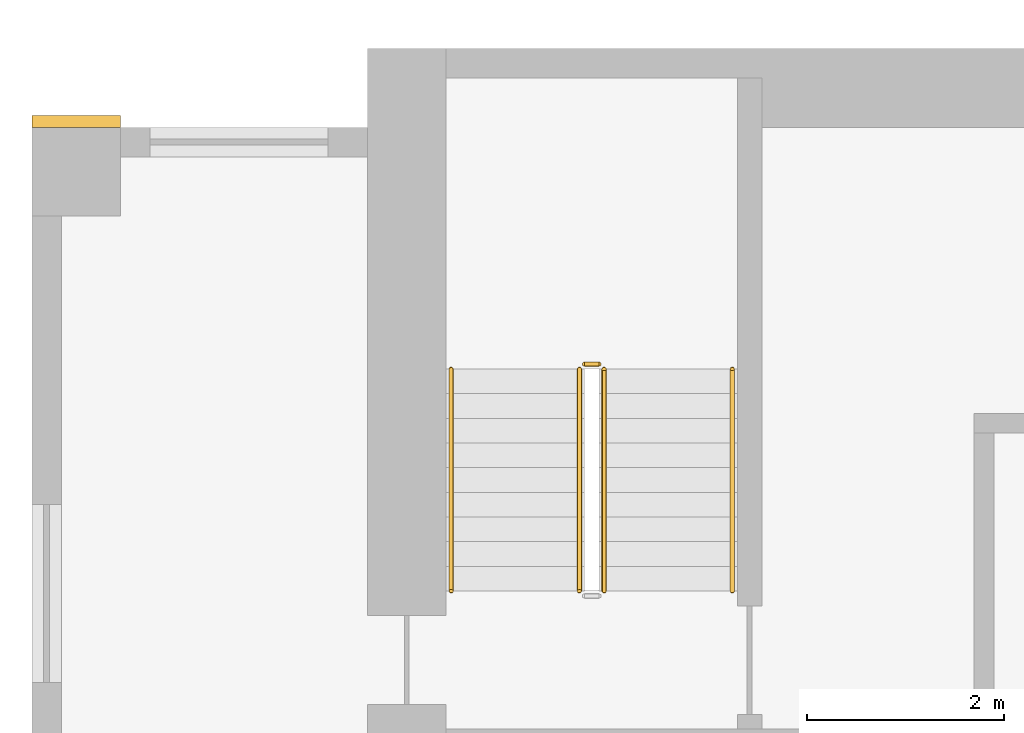
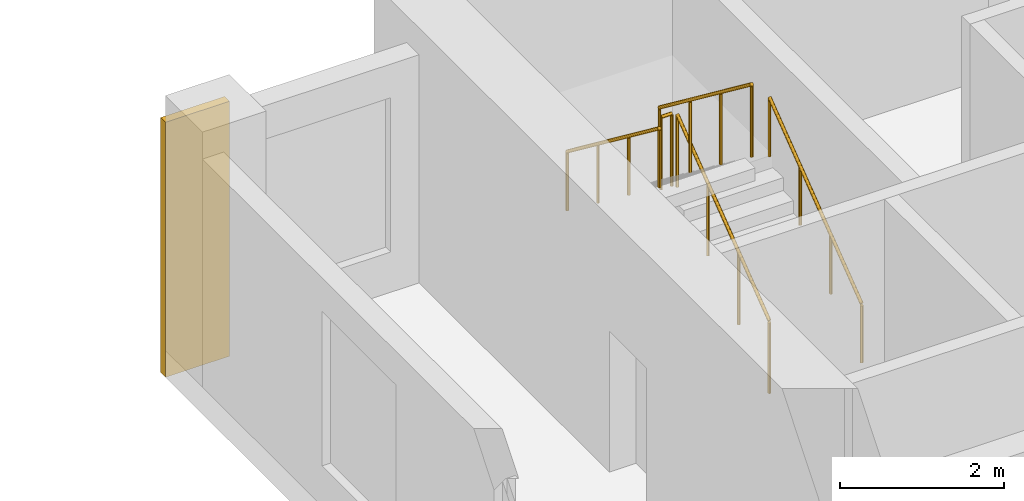
# One storey, part 10 of 12: 5 railings, 1 covering.
"""IFC4 building model written with IfcOpenShell, lengths in metres."""

from ifc_helpers import new_model, si_unit, direction, frame, origin, origin_2d, place, context, subcontext, project, spatial, rectangle, circle, extrude, source, transform, mapped, material, type_object, element, save


model = new_model("IFC4")

# Units and contexts
model_context = context("Model", 3, precision=1e-05, world=origin(), true_north=direction((0.0, 1.0)))
body_context = subcontext(model_context, "Body", "Model", "MODEL_VIEW")
ifc_project = project(units=[si_unit("LENGTHUNIT", "METRE"), si_unit("AREAUNIT", "SQUARE_METRE"), si_unit("VOLUMEUNIT", "CUBIC_METRE"), si_unit("PLANEANGLEUNIT", "RADIAN"), si_unit("MASSUNIT", "GRAM", prefix="KILO")], contexts=[model_context])

# Site, building, storey
site_placement = place(None, origin())
site = spatial("IfcSite", under=ifc_project, at=site_placement, CompositionType="ELEMENT")
building_placement = place(site_placement, origin())
building = spatial("IfcBuilding", under=site, at=building_placement, Name="Aurelian Terraces", CompositionType="ELEMENT")
storey_placement = place(building_placement, frame((0.0, 0.0, 189.2)))
storey = spatial("IfcBuildingStorey", under=building, at=storey_placement, Name="L41", CompositionType="ELEMENT", Elevation=189.2)

# Covering
ifc_material_1 = material(Name="Terracotta rainscreen cladding relief", Category="masonry")
covering_type = type_object("IfcCoveringType", Name="BAGUETTE-TC", PredefinedType="CLADDING", material=ifc_material_1)
shared_shape_1 = source(origin(), body_context, "Body", "SweptSolid", [
    extrude(rectangle(XDim=0.9, YDim=0.12, at=origin_2d()), origin(), (0.0, 0.0, 1.0), 3.8),
])
covering_placement = place(storey_placement, frame((0.45, 21.06, -0.4), z_axis=(0.0, 0.0, 1.0), x_axis=(1.0, 0.0, 0.0)))
element("IfcCovering", 1, at=covering_placement, inside=storey, type_object=covering_type, Name="BAGUETTE pier L41 5", PredefinedType="CLADDING", context=body_context, shape_type="MappedRepresentation", body=[
    mapped(shared_shape_1, transform((0.0, 0.0, 0.0), scale=1.0)),
])

# Railings
ifc_material_2 = material(Name="Stainless steel", Category="steel")
railing_type_1 = type_object("IfcRailingType", Name="Stair guard 1100", PredefinedType="GUARDRAIL", material=ifc_material_2)
shared_shape_2 = source(origin(), body_context, "Body", "SweptSolid", [
    extrude(circle(Radius=0.024, at=origin_2d()), frame((0.0, 0.0, 1.076), z_axis=(-1.0, 0.0, 0.0), x_axis=(0.0, -1.0, 0.0)), (0.0, 0.0, 1.0), 0.15),
    extrude(circle(Radius=0.021, at=origin_2d()), origin(), (0.0, 0.0, 1.0), 1.052),
    extrude(circle(Radius=0.021, at=origin_2d()), frame((-0.15, 0.0, 0.0)), (0.0, 0.0, 1.0), 1.052),
])
railing_1_placement = place(storey_placement, frame((5.75, 18.6, 1.9)))
element("IfcRailing", 2, at=railing_1_placement, inside=storey, type_object=railing_type_1, Name="L41 S1 stair guard 2", PredefinedType="GUARDRAIL", context=body_context, shape_type="MappedRepresentation", body=[
    mapped(shared_shape_2, transform((0.0, 0.0, 0.0), scale=1.0)),
])
shared_shape_3 = source(origin(), body_context, "Body", "SweptSolid", [
    extrude(circle(Radius=0.024, at=origin_2d()), frame((0.0, 0.0, 1.076), z_axis=(0.0, 0.796162194123, 0.605083267534), x_axis=(-1.0, 0.0, 0.0)), (0.0, 0.0, 1.0), 2.8261),
    extrude(circle(Radius=0.021, at=origin_2d()), origin(), (0.0, 0.0, 1.0), 1.052),
    extrude(circle(Radius=0.021, at=origin_2d()), frame((0.0, 0.75, 0.57)), (0.0, 0.0, 1.0), 1.052),
    extrude(circle(Radius=0.021, at=origin_2d()), frame((0.0, 1.5, 1.14)), (0.0, 0.0, 1.0), 1.052),
    extrude(circle(Radius=0.021, at=origin_2d()), frame((0.0, 2.25, 1.71)), (0.0, 0.0, 1.0), 1.052),
])
railing_2_placement = place(storey_placement, frame((5.8, 16.3, 0.19)))
element("IfcRailing", 3, at=railing_2_placement, inside=storey, type_object=railing_type_1, Name="L41 S1 stair guard 1", PredefinedType="GUARDRAIL", context=body_context, shape_type="MappedRepresentation", body=[
    mapped(shared_shape_3, transform((0.0, 0.0, 0.0), scale=1.0)),
])
shared_shape_4 = source(origin(), body_context, "Body", "SweptSolid", [
    extrude(circle(Radius=0.024, at=origin_2d()), frame((0.0, 0.0, 1.076), z_axis=(0.0, -0.796162194123, 0.605083267534), x_axis=(1.0, 0.0, 0.0)), (0.0, 0.0, 1.0), 2.8261),
    extrude(circle(Radius=0.021, at=origin_2d()), origin(), (0.0, 0.0, 1.0), 1.052),
    extrude(circle(Radius=0.021, at=origin_2d()), frame((0.0, -0.75, 0.57)), (0.0, 0.0, 1.0), 1.052),
    extrude(circle(Radius=0.021, at=origin_2d()), frame((0.0, -1.5, 1.14)), (0.0, 0.0, 1.0), 1.052),
    extrude(circle(Radius=0.021, at=origin_2d()), frame((0.0, -2.25, 1.71)), (0.0, 0.0, 1.0), 1.052),
])
railing_3_placement = place(storey_placement, frame((5.55, 18.55, 2.09)))
element("IfcRailing", 4, at=railing_3_placement, inside=storey, type_object=railing_type_1, Name="L41 S1 stair guard 3", PredefinedType="GUARDRAIL", context=body_context, shape_type="MappedRepresentation", body=[
    mapped(shared_shape_4, transform((0.0, 0.0, 0.0), scale=1.0)),
])
railing_type_2 = type_object("IfcRailingType", Name="Stair handrail", PredefinedType="HANDRAIL", material=ifc_material_2)
shared_shape_5 = source(origin(), body_context, "Body", "SweptSolid", [
    extrude(circle(Radius=0.024, at=origin_2d()), frame((0.0, 0.0, 0.876), z_axis=(0.0, 0.796162194123, 0.605083267534), x_axis=(-1.0, 0.0, 0.0)), (0.0, 0.0, 1.0), 2.8261),
    extrude(circle(Radius=0.021, at=origin_2d()), origin(), (0.0, 0.0, 1.0), 0.852),
    extrude(circle(Radius=0.021, at=origin_2d()), frame((0.0, 0.75, 0.57)), (0.0, 0.0, 1.0), 0.852),
    extrude(circle(Radius=0.021, at=origin_2d()), frame((0.0, 1.5, 1.14)), (0.0, 0.0, 1.0), 0.852),
    extrude(circle(Radius=0.021, at=origin_2d()), frame((0.0, 2.25, 1.71)), (0.0, 0.0, 1.0), 0.852),
])
railing_4_placement = place(storey_placement, frame((7.1, 16.3, 0.19)))
element("IfcRailing", 5, at=railing_4_placement, inside=storey, type_object=railing_type_2, Name="L41 S1 stair handrail 1", PredefinedType="HANDRAIL", context=body_context, shape_type="MappedRepresentation", body=[
    mapped(shared_shape_5, transform((0.0, 0.0, 0.0), scale=1.0)),
])
shared_shape_6 = source(origin(), body_context, "Body", "SweptSolid", [
    extrude(circle(Radius=0.024, at=origin_2d()), frame((0.0, 0.0, 0.876), z_axis=(0.0, -0.796162194123, 0.605083267534), x_axis=(1.0, 0.0, 0.0)), (0.0, 0.0, 1.0), 2.8261),
    extrude(circle(Radius=0.021, at=origin_2d()), origin(), (0.0, 0.0, 1.0), 0.852),
    extrude(circle(Radius=0.021, at=origin_2d()), frame((0.0, -0.75, 0.57)), (0.0, 0.0, 1.0), 0.852),
    extrude(circle(Radius=0.021, at=origin_2d()), frame((0.0, -1.5, 1.14)), (0.0, 0.0, 1.0), 0.852),
    extrude(circle(Radius=0.021, at=origin_2d()), frame((0.0, -2.25, 1.71)), (0.0, 0.0, 1.0), 0.852),
])
railing_5_placement = place(storey_placement, frame((4.25, 18.55, 2.09)))
element("IfcRailing", 6, at=railing_5_placement, inside=storey, type_object=railing_type_2, Name="L41 S1 stair handrail 2", PredefinedType="HANDRAIL", context=body_context, shape_type="MappedRepresentation", body=[
    mapped(shared_shape_6, transform((0.0, 0.0, 0.0), scale=1.0)),
])

save(model, "model.ifc")
